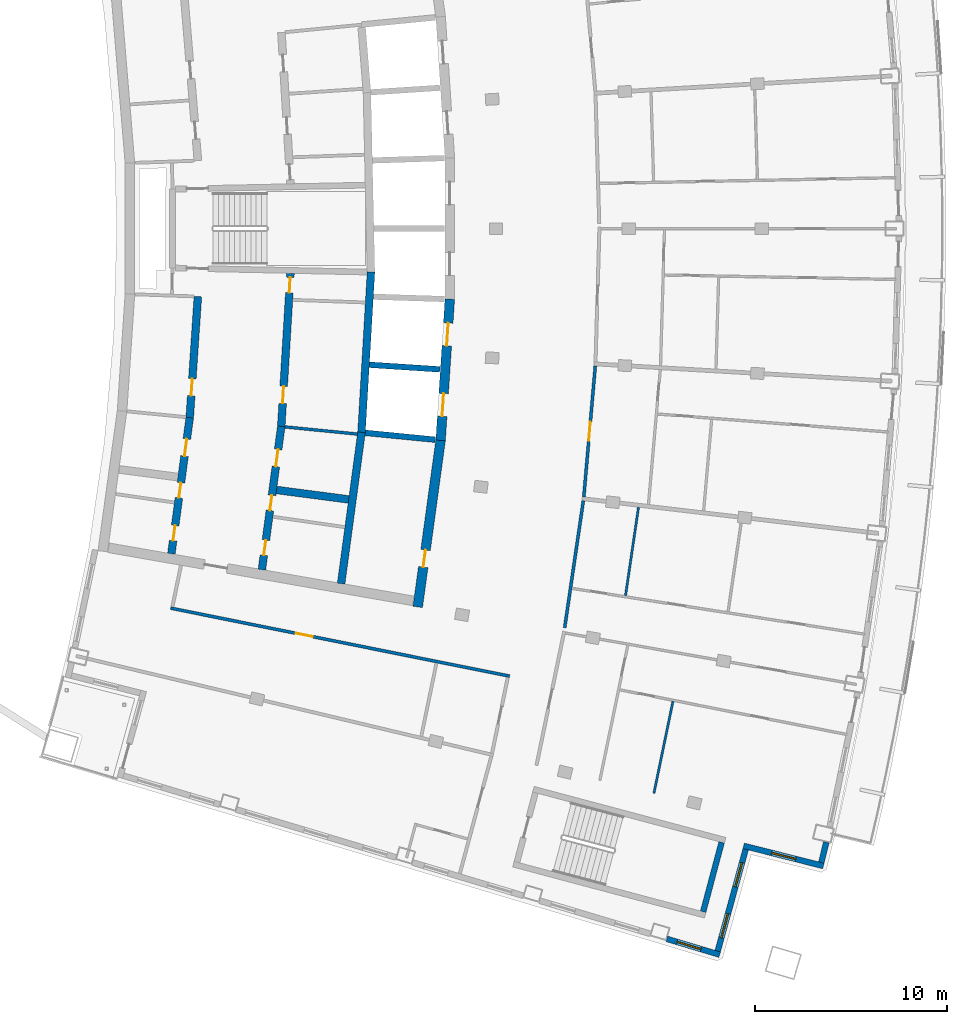
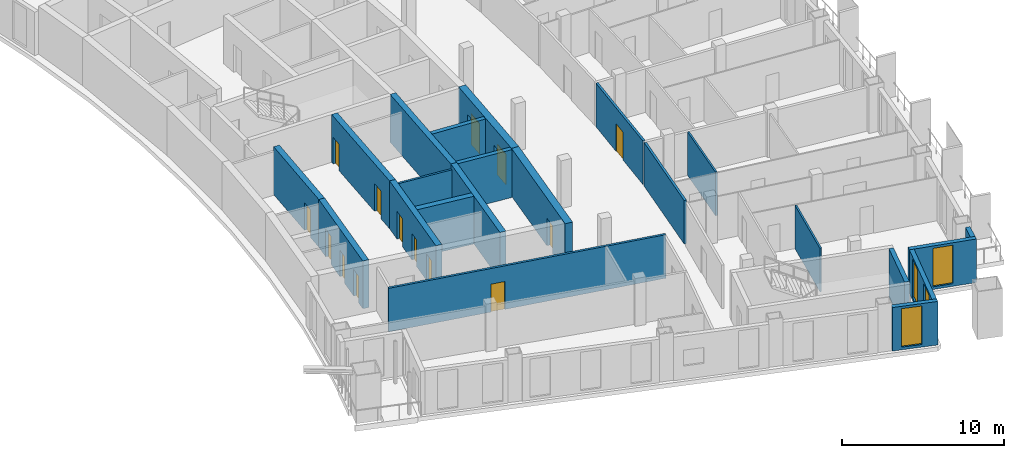
# One storey, part 8 of 17: 22 walls, 14 doors, 4 windows, 18 openings.
"""IFC4 building model written with IfcOpenShell, lengths in metres."""

import ifcopenshell
import ifcopenshell.guid

model = None  # the IFC model being written
_history = None  # IfcOwnerHistory: only IFC2X3 demands one
_inside = {}  # id of a spatial element -> (the spatial element, [elements in it])
_under = {}  # id of a project, library or spatial element -> (it, [spatial elements below it])
_declared = {}  # id of a project -> (the project, [libraries it declares])
_typed = {}  # id of a type object -> (the type object, [elements of that type])
_made_of = {}  # id of a material, layer set ... -> (it, [elements and type objects made of it])


def new_model(schema):
    """Start an empty IFC model of exactly this schema.

    Asked for "IFC4X3", IfcOpenShell would pick the latest addendum, in which some entities
    have other attributes; the version numbers below select the first issue.
    IFC2X3 requires an IfcOwnerHistory on every rooted entity: one is made here for all.
    """
    global model, _history
    if schema == "IFC4X3":
        model = ifcopenshell.file(schema_version=(4, 3, 0, 0))
    else:
        model = ifcopenshell.file(schema=schema)
    _inside.clear()
    _under.clear()
    _declared.clear()
    _typed.clear()
    _made_of.clear()
    _history = None
    if model.schema == "IFC2X3":
        org = make("IfcOrganization", Name="unknown")
        user = make(
            "IfcPersonAndOrganization",
            ThePerson=make("IfcPerson", FamilyName="unknown"),
            TheOrganization=org,
        )
        app = make(
            "IfcApplication",
            ApplicationDeveloper=org,
            Version="unknown",
            ApplicationFullName="unknown",
            ApplicationIdentifier="unknown",
        )
        _history = make(
            "IfcOwnerHistory",
            OwningUser=user,
            OwningApplication=app,
            ChangeAction="ADDED",
            CreationDate=0,
        )
    return model


def make(cls, **values):
    """One entity of the class cls with the attributes given. An attribute that is None is left unset."""
    return model.create_entity(
        cls, **{name: value for name, value in values.items() if value is not None}
    )


def rooted(cls, **values):
    """An entity with a GlobalId (a new one), such as an element, a storey or a relation."""
    return make(cls, GlobalId=ifcopenshell.guid.new(), OwnerHistory=_history, **values)


def si_unit(unit_type, name, prefix=None):
    """IfcSIUnit, for example si_unit("LENGTHUNIT", "METRE", prefix="MILLI")."""
    return make("IfcSIUnit", UnitType=unit_type, Prefix=prefix, Name=name)


def assignment(units):
    """IfcUnitAssignment: the units of a project."""
    return None if units is None else make("IfcUnitAssignment", Units=units)


def point(xyz):
    """IfcCartesianPoint."""
    return None if xyz is None else make("IfcCartesianPoint", Coordinates=xyz)


def direction(xyz):
    """IfcDirection."""
    return None if xyz is None else make("IfcDirection", DirectionRatios=xyz)


def frame(location, z_axis=None, x_axis=None):
    """IfcAxis2Placement3D, a coordinate frame: its origin and axes. An axis left out is left unset."""
    return make(
        "IfcAxis2Placement3D",
        Location=point(location),
        Axis=direction(z_axis),
        RefDirection=direction(x_axis),
    )


def frame_2d(location, x_axis=None):
    """IfcAxis2Placement2D, a coordinate frame in the plane: its origin and x axis."""
    return make(
        "IfcAxis2Placement2D", Location=point(location), RefDirection=direction(x_axis)
    )


def origin():
    """The frame at (0, 0, 0) with its axes left unset."""
    return frame((0.0, 0.0, 0.0))


def place(relative_to, where):
    """IfcLocalPlacement: puts the frame where relative to a parent placement (None: the world)."""
    return make(
        "IfcLocalPlacement", PlacementRelTo=relative_to, RelativePlacement=where
    )


def context(
    kind, dimensions, precision=None, world=None, true_north=None, identifier=None
):
    """IfcGeometricRepresentationContext, for example the 3D "Model" context."""
    return make(
        "IfcGeometricRepresentationContext",
        ContextIdentifier=identifier,
        ContextType=kind,
        CoordinateSpaceDimension=dimensions,
        Precision=precision,
        WorldCoordinateSystem=world,
        TrueNorth=true_north,
    )


def subcontext(parent, identifier, kind, view, scale=None):
    """IfcGeometricRepresentationSubContext, for example "Body" below "Model"."""
    return make(
        "IfcGeometricRepresentationSubContext",
        ContextIdentifier=identifier,
        ContextType=kind,
        ParentContext=parent,
        TargetScale=scale,
        TargetView=view,
    )


def project(units=None, contexts=None):
    """IfcProject with its units and contexts."""
    return rooted(
        "IfcProject",
        Name="project",
        RepresentationContexts=contexts,
        UnitsInContext=assignment(units),
    )


def spatial(cls, under=None, at=None, **own):
    """A site, building, storey or space (cls), placed at a placement, below another one or the project."""
    s = rooted(cls, ObjectPlacement=at, **own)
    if under is not None:
        _under.setdefault(under.id(), (under, []))[1].append(s)
    return s


def profile(cls, at=None, kind="AREA", **sizes):
    """A parametric profile (cls). Its sizes go by their IFC names, for example OverallWidth=200.0."""
    return make(cls, ProfileType=kind, Position=at, **sizes)


def rectangle(**sizes):
    """IfcRectangleProfileDef."""
    return profile("IfcRectangleProfileDef", **sizes)


def extrude(swept, where, along, depth):
    """IfcExtrudedAreaSolid: the profile swept, set in the frame where, extruded along a direction by depth."""
    return make(
        "IfcExtrudedAreaSolid",
        SweptArea=swept,
        Position=where,
        ExtrudedDirection=direction(along),
        Depth=depth,
    )


def shape(context_of_items, identifier, shape_type, items):
    """IfcShapeRepresentation: the items that make up one representation, for example the "Body"."""
    return make(
        "IfcShapeRepresentation",
        ContextOfItems=context_of_items,
        RepresentationIdentifier=identifier,
        RepresentationType=shape_type,
        Items=items,
    )


def material(Name=None, Category=None):
    """IfcMaterial."""
    return make("IfcMaterial", Name=Name, Category=Category)


def layer(
    of_material, thickness, ventilated=None, Name=None, Category=None, Priority=None
):
    """IfcMaterialLayer: one layer of a wall or slab, of a material (None: an air gap)."""
    return make(
        "IfcMaterialLayer",
        Material=of_material,
        LayerThickness=thickness,
        IsVentilated=ventilated,
        Name=Name,
        Category=Category,
        Priority=Priority,
    )


def layer_set(layers, Name=None):
    """IfcMaterialLayerSet."""
    return make("IfcMaterialLayerSet", MaterialLayers=layers, LayerSetName=Name)


def made_of(thing, what):
    """Note that an element or type object is made of a material, layer set ...; save() writes the relation."""
    if what is not None:
        _made_of.setdefault(what.id(), (what, []))[1].append(thing)
    return thing


def type_object(cls, material=None, **own):
    """A type object (cls), such as IfcWallType, which elements share."""
    return made_of(rooted(cls, **own), material)


def element(
    cls,
    number,
    at=None,
    inside=None,
    cuts=None,
    type_object=None,
    material=None,
    context=None,
    identifier="Body",
    shape_type=None,
    held_by="IfcProductDefinitionShape",
    body=None,
    shapes=None,
    **own,
):
    """One element of the class cls, such as IfcWall. Its Tag is "e" and its number.

    at: its placement. inside: the storey or other place that contains it. cuts: it is an
    opening in that element (IfcRelVoidsElement). A single representation is given by context,
    identifier, shape_type and body (its items); several are given by shapes. held_by: the class
    of the entity that holds the representations. save() writes the other relations.
    """
    e = rooted(cls, Tag="e%d" % number, ObjectPlacement=at, **own)
    if body is not None:
        shapes = [shape(context, identifier, shape_type, body)]
    if shapes is not None:
        e.Representation = make(held_by, Representations=shapes)
    if inside is not None:
        _inside.setdefault(inside.id(), (inside, []))[1].append(e)
    if cuts is not None:
        rooted(
            "IfcRelVoidsElement", RelatingBuildingElement=cuts, RelatedOpeningElement=e
        )
    if type_object is not None:
        _typed.setdefault(type_object.id(), (type_object, []))[1].append(e)
    return made_of(e, material)


def fill(opening, filler):
    """IfcRelFillsElement: the door or window that sits in an opening."""
    return rooted(
        "IfcRelFillsElement",
        RelatingOpeningElement=opening,
        RelatedBuildingElement=filler,
    )


def aggregate(whole, parts):
    """IfcRelAggregates: a whole, such as a stair, and the parts it consists of."""
    return rooted("IfcRelAggregates", RelatingObject=whole, RelatedObjects=parts)


def save(model, path):
    """Write the relations noted so far, then the file.

    IfcRelAggregates (storeys below a building ...), IfcRelContainedInSpatialStructure (elements
    in a storey), IfcRelDefinesByType, IfcRelAssociatesMaterial and IfcRelDeclares: one each for
    every whole, place, type object, material and project.
    """
    for whole, parts in _under.values():
        aggregate(whole, parts)
    for where, things in _inside.values():
        rooted(
            "IfcRelContainedInSpatialStructure",
            RelatedElements=things,
            RelatingStructure=where,
        )
    for kind, things in _typed.values():
        rooted("IfcRelDefinesByType", RelatedObjects=things, RelatingType=kind)
    for what, things in _made_of.values():
        rooted("IfcRelAssociatesMaterial", RelatedObjects=things, RelatingMaterial=what)
    for by, libraries in _declared.values():
        rooted("IfcRelDeclares", RelatingContext=by, RelatedDefinitions=libraries)
    model.write(path)


model = new_model("IFC4")

# Units and contexts
model_context = context("Model", 3, precision=1e-05, world=origin(), true_north=direction((0.0, 1.0)))
body_context = subcontext(model_context, "Body", "Model", "MODEL_VIEW")
ifc_project = project(units=[si_unit("LENGTHUNIT", "METRE"), si_unit("AREAUNIT", "SQUARE_METRE"), si_unit("VOLUMEUNIT", "CUBIC_METRE"), si_unit("PLANEANGLEUNIT", "RADIAN"), si_unit("MASSUNIT", "GRAM", prefix="KILO")], contexts=[model_context])

# Site, building, storey
site_placement = place(None, origin())
site = spatial("IfcSite", under=ifc_project, at=site_placement, CompositionType="ELEMENT")
building_placement = place(site_placement, origin())
building = spatial("IfcBuilding", under=site, at=building_placement, Name="Alderwake Tower", CompositionType="ELEMENT")
storey_placement = place(building_placement, frame((0.0, 0.0, 260.0)))
storey = spatial("IfcBuildingStorey", under=building, at=storey_placement, Name="L64", CompositionType="ELEMENT", Elevation=260.0)

# Wall
ifc_material_1 = material(Name="Gypsum shaft wall system, rated")
ifc_layer_1 = layer(ifc_material_1, 0.14990234375)
ifc_layer_set_1 = layer_set([ifc_layer_1], Name="Core room partition 150")
wall_type_1 = type_object("IfcWallType", Name="Core room partition 150", PredefinedType="PARTITIONING", material=ifc_layer_set_1)
wall_1_placement = place(storey_placement, frame((24.789794921875, 50.64501953125, 0.0), z_axis=(0.0, 0.0, 1.0), x_axis=(0.995153039802, -0.098338331148, 0.0)))
element("IfcWall", 1, at=wall_1_placement, inside=storey, type_object=wall_type_1, Name="CW/L64/PR-103_+86", PredefinedType="PARTITIONING", context=body_context, shape_type="SweptSolid", body=[
    extrude(rectangle(XDim=3.7958984375, YDim=0.14990234375, at=frame_2d((1.89794921875, 0.0))), origin(), (0.0, 0.0, 1.0), 3.280029296875),
])

# Wall, opening, door
ifc_material_2 = material(Name="Concrete C70/85", Category="concrete")
ifc_layer_2 = layer(ifc_material_2, 0.5)
ifc_layer_set_2 = layer_set([ifc_layer_2], Name="Core wall outer 500 C70-85")
wall_type_2 = type_object("IfcWallType", Name="Core wall outer 500 C70-85", PredefinedType="SHEAR", material=ifc_layer_set_2)
wall_2_placement = place(storey_placement, frame((32.912109375, 49.960693359375, 0.0), z_axis=(0.0, 0.0, 1.0), x_axis=(-0.1358539401, -0.990728876615, 0.0)))
wall_2 = element("IfcWall", 2, at=wall_2_placement, inside=storey, type_object=wall_type_2, Name="Core wall CW.022", PredefinedType="SHEAR", context=body_context, shape_type="SweptSolid", body=[
    extrude(rectangle(XDim=8.794921875, YDim=0.5, at=frame_2d((4.3974609375, 0.0))), origin(), (0.0, 0.0, 1.0), 3.60009765625),
])
opening_1_placement = place(wall_2_placement, frame((5.79638671875, 0.0, 0.0)))
opening_1 = element("IfcOpeningElement", 3, at=opening_1_placement, cuts=wall_2, Name="Opening C060", PredefinedType="OPENING", context=body_context, shape_type="SweptSolid", body=[
    extrude(rectangle(XDim=0.89990234375, YDim=2.10009765625, at=frame_2d((0.449951171875, 1.050048828125))), frame((0.0, 0.260009765625, 0.0), z_axis=(0.0, -1.0, 0.0), x_axis=(1.0, 0.0, 0.0)), (0.0, 0.0, 1.0), 0.52001953125),
])
ifc_material_3 = material(Name="Painted steel leaf", Category="steel")
door_type_1 = type_object("IfcDoorType", Name="Core room door 900", OperationType="SINGLE_SWING_LEFT", PredefinedType="DOOR", material=ifc_material_3)
door_1_placement = place(opening_1_placement, origin())
door_1 = element("IfcDoor", 4, at=door_1_placement, inside=storey, type_object=door_type_1, Name="Room door", OperationType="SINGLE_SWING_RIGHT", OverallHeight=2.10009765625, OverallWidth=0.89990234375, PredefinedType="DOOR", context=body_context, shape_type="SweptSolid", body=[
    extrude(rectangle(XDim=0.89990234375, YDim=2.10009765625, at=frame_2d((0.449951171875, 1.050048828125))), frame((0.0, 0.02490234375, 0.0), z_axis=(0.0, -1.0, 0.0), x_axis=(1.0, 0.0, 0.0)), (0.0, 0.0, 1.0), 0.050048828125),
])
fill(opening_1, door_1)

# Wall, openings, doors
wall_3_placement = place(storey_placement, frame((32.91015625, 49.942138671875, 0.0), z_axis=(0.0, 0.0, 1.0), x_axis=(0.064980500916, 0.997886533881, 0.0)))
wall_3 = element("IfcWall", 5, at=wall_3_placement, inside=storey, type_object=wall_type_2, Name="Core wall CW.021", PredefinedType="SHEAR", context=body_context, shape_type="SweptSolid", body=[
    extrude(rectangle(XDim=7.39404296875, YDim=0.5, at=frame_2d((3.697021484375, 0.0))), origin(), (0.0, 0.0, 1.0), 3.60009765625),
])
opening_2_placement = place(wall_3_placement, frame((1.253173828125, 0.0, 0.0)))
opening_2 = element("IfcOpeningElement", 6, at=opening_2_placement, cuts=wall_3, Name="Opening LD-HP1", PredefinedType="OPENING", context=body_context, shape_type="SweptSolid", body=[
    extrude(rectangle(XDim=1.199951171875, YDim=2.300048828125, at=frame_2d((0.60009765625, 1.14990234375))), frame((0.0, 0.260009765625, 0.0), z_axis=(0.0, -1.0, 0.0), x_axis=(1.0, 0.0, 0.0)), (0.0, 0.0, 1.0), 0.52001953125),
])
opening_3_placement = place(wall_3_placement, frame((4.941650390625, 0.0, 0.0)))
opening_3 = element("IfcOpeningElement", 7, at=opening_3_placement, cuts=wall_3, Name="Opening LD-HP2", PredefinedType="OPENING", context=body_context, shape_type="SweptSolid", body=[
    extrude(rectangle(XDim=1.199951171875, YDim=2.300048828125, at=frame_2d((0.60009765625, 1.14990234375))), frame((0.0, 0.260009765625, 0.0), z_axis=(0.0, -1.0, 0.0), x_axis=(1.0, 0.0, 0.0)), (0.0, 0.0, 1.0), 0.52001953125),
])
ifc_material_4 = material(Name="Stainless steel sliding leaf", Category="steel")
door_type_2 = type_object("IfcDoorType", Name="Lift landing door 1200", OperationType="SLIDING_TO_LEFT", PredefinedType="DOOR", material=ifc_material_4)
door_2_placement = place(opening_2_placement, origin())
door_2 = element("IfcDoor", 8, at=door_2_placement, inside=storey, type_object=door_type_2, Name="Lift landing door HP1", OperationType="SLIDING_TO_LEFT", OverallHeight=2.300048828125, OverallWidth=1.199951171875, PredefinedType="DOOR", context=body_context, shape_type="SweptSolid", body=[
    extrude(rectangle(XDim=1.199951171875, YDim=2.300048828125, at=frame_2d((0.60009765625, 1.14990234375))), frame((0.0, 0.02490234375, 0.0), z_axis=(0.0, -1.0, 0.0), x_axis=(1.0, 0.0, 0.0)), (0.0, 0.0, 1.0), 0.050048828125),
])
fill(opening_2, door_2)
door_3_placement = place(opening_3_placement, origin())
door_3 = element("IfcDoor", 9, at=door_3_placement, inside=storey, type_object=door_type_2, Name="Lift landing door HP2", OperationType="SLIDING_TO_LEFT", OverallHeight=2.300048828125, OverallWidth=1.199951171875, PredefinedType="DOOR", context=body_context, shape_type="SweptSolid", body=[
    extrude(rectangle(XDim=1.199951171875, YDim=2.300048828125, at=frame_2d((0.60009765625, 1.14990234375))), frame((0.0, 0.02490234375, 0.0), z_axis=(0.0, -1.0, 0.0), x_axis=(1.0, 0.0, 0.0)), (0.0, 0.0, 1.0), 0.050048828125),
])
fill(opening_3, door_3)

# Walls
ifc_material_5 = material(Name="Concrete C70/85", Category="concrete")
ifc_layer_3 = layer(ifc_material_5, 0.300048828125)
ifc_layer_set_3 = layer_set([ifc_layer_3], Name="Core wall shaft 300 C70-85")
wall_type_3 = type_object("IfcWallType", Name="Core wall shaft 300 C70-85", PredefinedType="SHEAR", material=ifc_layer_set_3)
wall_4_placement = place(storey_placement, frame((28.9794921875, 50.336181640625, 0.0), z_axis=(0.0, 0.0, 1.0), x_axis=(0.995245736737, -0.097395705788, 0.0)))
element("IfcWall", 10, at=wall_4_placement, inside=storey, type_object=wall_type_3, Name="Core wall CW.064", PredefinedType="SHEAR", context=body_context, shape_type="SweptSolid", body=[
    extrude(rectangle(XDim=3.669677734375, YDim=0.300048828125, at=frame_2d((1.8349609375, 0.0))), origin(), (0.0, 0.0, 1.0), 3.60009765625),
])
wall_5_placement = place(storey_placement, frame((29.190185546875, 53.8896484375, 0.0), z_axis=(0.0, 0.0, 1.0), x_axis=(0.997885615286, -0.06499460597, 0.0)))
element("IfcWall", 11, at=wall_5_placement, inside=storey, type_object=wall_type_3, Name="Core wall CW.078", PredefinedType="SHEAR", context=body_context, shape_type="SweptSolid", body=[
    extrude(rectangle(XDim=3.688720703125, YDim=0.300048828125, at=frame_2d((1.84423828125, 0.0))), origin(), (0.0, 0.0, 1.0), 3.60009765625),
])

# Wall, openings, doors
ifc_material_6 = material(Name="Concrete C70/85", Category="concrete")
ifc_layer_4 = layer(ifc_material_6, 0.39990234375)
ifc_layer_set_4 = layer_set([ifc_layer_4], Name="Core wall spine 400 C70-85")
wall_type_4 = type_object("IfcWallType", Name="Core wall spine 400 C70-85", PredefinedType="SHEAR", material=ifc_layer_set_4)
wall_6_placement = place(storey_placement, frame((19.814697265625, 51.143798828125, 0.0), z_axis=(0.0, 0.0, 1.0), x_axis=(-0.133823115837, -0.991005233925, 0.0)))
wall_6 = element("IfcWall", 12, at=wall_6_placement, inside=storey, type_object=wall_type_4, Name="Core wall CW.033", PredefinedType="SHEAR", context=body_context, shape_type="SweptSolid", body=[
    extrude(rectangle(XDim=7.1787109375, YDim=0.39990234375, at=frame_2d((3.58935546875, 0.0))), origin(), (0.0, 0.0, 1.0), 3.60009765625),
])
opening_4_placement = place(wall_6_placement, frame((5.69677734375, 0.0, 0.0)))
opening_4 = element("IfcOpeningElement", 13, at=opening_4_placement, cuts=wall_6, Name="Opening C008", PredefinedType="OPENING", context=body_context, shape_type="SweptSolid", body=[
    extrude(rectangle(XDim=0.800048828125, YDim=2.0, at=frame_2d((0.39990234375, 1.0))), frame((0.0, 0.2099609375, 0.0), z_axis=(0.0, -1.0, 0.0), x_axis=(1.0, 0.0, 0.0)), (0.0, 0.0, 1.0), 0.419921875),
])
opening_5_placement = place(wall_6_placement, frame((3.443115234375, 0.0, 0.0)))
opening_5 = element("IfcOpeningElement", 14, at=opening_5_placement, cuts=wall_6, Name="Opening C012", PredefinedType="OPENING", context=body_context, shape_type="SweptSolid", body=[
    extrude(rectangle(XDim=0.800048828125, YDim=2.0, at=frame_2d((0.39990234375, 1.0))), frame((0.0, 0.2099609375, 0.0), z_axis=(0.0, -1.0, 0.0), x_axis=(1.0, 0.0, 0.0)), (0.0, 0.0, 1.0), 0.419921875),
])
opening_6_placement = place(wall_6_placement, frame((1.13916015625, 0.0, 0.0)))
opening_6 = element("IfcOpeningElement", 15, at=opening_6_placement, cuts=wall_6, Name="Opening C039", PredefinedType="OPENING", context=body_context, shape_type="SweptSolid", body=[
    extrude(rectangle(XDim=0.89990234375, YDim=2.10009765625, at=frame_2d((0.449951171875, 1.050048828125))), frame((0.0, 0.2099609375, 0.0), z_axis=(0.0, -1.0, 0.0), x_axis=(1.0, 0.0, 0.0)), (0.0, 0.0, 1.0), 0.419921875),
])
door_4_placement = place(opening_6_placement, origin())
door_4 = element("IfcDoor", 16, at=door_4_placement, inside=storey, type_object=door_type_1, Name="Room door", OperationType="SINGLE_SWING_LEFT", OverallHeight=2.10009765625, OverallWidth=0.89990234375, PredefinedType="DOOR", context=body_context, shape_type="SweptSolid", body=[
    extrude(rectangle(XDim=0.89990234375, YDim=2.10009765625, at=frame_2d((0.449951171875, 1.050048828125))), frame((0.0, 0.02490234375, 0.0), z_axis=(0.0, -1.0, 0.0), x_axis=(1.0, 0.0, 0.0)), (0.0, 0.0, 1.0), 0.050048828125),
])
fill(opening_6, door_4)
ifc_material_7 = material(Name="Painted steel leaf, rated", Category="steel")
door_type_3 = type_object("IfcDoorType", Name="Riser access door 800", OperationType="SINGLE_SWING_LEFT", PredefinedType="DOOR", material=ifc_material_7)
door_5_placement = place(opening_4_placement, origin())
door_5 = element("IfcDoor", 17, at=door_5_placement, inside=storey, type_object=door_type_3, Name="Riser access door", OperationType="SINGLE_SWING_LEFT", OverallHeight=2.0, OverallWidth=0.800048828125, PredefinedType="DOOR", context=body_context, shape_type="SweptSolid", body=[
    extrude(rectangle(XDim=0.800048828125, YDim=2.0, at=frame_2d((0.39990234375, 1.0))), frame((0.0, 0.02490234375, 0.0), z_axis=(0.0, -1.0, 0.0), x_axis=(1.0, 0.0, 0.0)), (0.0, 0.0, 1.0), 0.050048828125),
])
fill(opening_4, door_5)
door_6_placement = place(opening_5_placement, origin())
door_6 = element("IfcDoor", 18, at=door_6_placement, inside=storey, type_object=door_type_3, Name="Riser access door", OperationType="SINGLE_SWING_RIGHT", OverallHeight=2.0, OverallWidth=0.800048828125, PredefinedType="DOOR", context=body_context, shape_type="SweptSolid", body=[
    extrude(rectangle(XDim=0.800048828125, YDim=2.0, at=frame_2d((0.39990234375, 1.0))), frame((0.0, 0.02490234375, 0.0), z_axis=(0.0, -1.0, 0.0), x_axis=(1.0, 0.0, 0.0)), (0.0, 0.0, 1.0), 0.050048828125),
])
fill(opening_5, door_6)

# Wall, opening, door
wall_7_placement = place(storey_placement, frame((20.2373046875, 57.451904296875, 0.0), z_axis=(0.0, 0.0, 1.0), x_axis=(-0.066884681503, -0.997760712486, 0.0)))
wall_7 = element("IfcWall", 19, at=wall_7_placement, inside=storey, type_object=wall_type_4, Name="Core wall CW.032", PredefinedType="SHEAR", context=body_context, shape_type="SweptSolid", body=[
    extrude(rectangle(XDim=6.336669921875, YDim=0.39990234375, at=frame_2d((3.16845703125, 0.0))), origin(), (0.0, 0.0, 1.0), 3.60009765625),
])
opening_7_placement = place(wall_7_placement, frame((4.29736328125, 0.0, 0.0)))
opening_7 = element("IfcOpeningElement", 20, at=opening_7_placement, cuts=wall_7, Name="Opening C040", PredefinedType="OPENING", context=body_context, shape_type="SweptSolid", body=[
    extrude(rectangle(XDim=0.89990234375, YDim=2.10009765625, at=frame_2d((0.449951171875, 1.050048828125))), frame((0.0, 0.2099609375, 0.0), z_axis=(0.0, -1.0, 0.0), x_axis=(1.0, 0.0, 0.0)), (0.0, 0.0, 1.0), 0.419921875),
])
door_7_placement = place(opening_7_placement, origin())
door_7 = element("IfcDoor", 21, at=door_7_placement, inside=storey, type_object=door_type_1, Name="Room door", OperationType="SINGLE_SWING_RIGHT", OverallHeight=2.10009765625, OverallWidth=0.89990234375, PredefinedType="DOOR", context=body_context, shape_type="SweptSolid", body=[
    extrude(rectangle(XDim=0.89990234375, YDim=2.10009765625, at=frame_2d((0.449951171875, 1.050048828125))), frame((0.0, 0.02490234375, 0.0), z_axis=(0.0, -1.0, 0.0), x_axis=(1.0, 0.0, 0.0)), (0.0, 0.0, 1.0), 0.050048828125),
])
fill(opening_7, door_7)

# Wall, openings, doors
wall_8_placement = place(storey_placement, frame((23.58056640625, 43.19384765625, 0.0), z_axis=(0.0, 0.0, 1.0), x_axis=(0.133962545762, 0.990986395635, 0.0)))
wall_8 = element("IfcWall", 22, at=wall_8_placement, inside=storey, type_object=wall_type_4, Name="Core wall CW.047", PredefinedType="SHEAR", context=body_context, shape_type="SweptSolid", body=[
    extrude(rectangle(XDim=7.546875, YDim=0.39990234375, at=frame_2d((3.7734375, 0.0))), origin(), (0.0, 0.0, 1.0), 3.60009765625),
])
opening_8_placement = place(wall_8_placement, frame((0.7578125, 0.0, 0.0)))
opening_8 = element("IfcOpeningElement", 23, at=opening_8_placement, cuts=wall_8, Name="Opening C015", PredefinedType="OPENING", context=body_context, shape_type="SweptSolid", body=[
    extrude(rectangle(XDim=0.800048828125, YDim=2.0, at=frame_2d((0.39990234375, 1.0))), frame((0.0, 0.2099609375, 0.0), z_axis=(0.0, -1.0, 0.0), x_axis=(1.0, 0.0, 0.0)), (0.0, 0.0, 1.0), 0.419921875),
])
opening_9_placement = place(wall_8_placement, frame((3.119384765625, 0.0, 0.0)))
opening_9 = element("IfcOpeningElement", 24, at=opening_9_placement, cuts=wall_8, Name="Opening C019", PredefinedType="OPENING", context=body_context, shape_type="SweptSolid", body=[
    extrude(rectangle(XDim=0.800048828125, YDim=2.0, at=frame_2d((0.39990234375, 1.0))), frame((0.0, 0.2099609375, 0.0), z_axis=(0.0, -1.0, 0.0), x_axis=(1.0, 0.0, 0.0)), (0.0, 0.0, 1.0), 0.419921875),
])
opening_10_placement = place(wall_8_placement, frame((5.43115234375, 0.0, 0.0)))
opening_10 = element("IfcOpeningElement", 25, at=opening_10_placement, cuts=wall_8, Name="Opening C045", PredefinedType="OPENING", context=body_context, shape_type="SweptSolid", body=[
    extrude(rectangle(XDim=0.89990234375, YDim=2.10009765625, at=frame_2d((0.449951171875, 1.050048828125))), frame((0.0, 0.2099609375, 0.0), z_axis=(0.0, -1.0, 0.0), x_axis=(1.0, 0.0, 0.0)), (0.0, 0.0, 1.0), 0.419921875),
])
door_8_placement = place(opening_10_placement, origin())
door_8 = element("IfcDoor", 26, at=door_8_placement, inside=storey, type_object=door_type_1, Name="Room door", OperationType="SINGLE_SWING_LEFT", OverallHeight=2.10009765625, OverallWidth=0.89990234375, PredefinedType="DOOR", context=body_context, shape_type="SweptSolid", body=[
    extrude(rectangle(XDim=0.89990234375, YDim=2.10009765625, at=frame_2d((0.449951171875, 1.050048828125))), frame((0.0, 0.02490234375, 0.0), z_axis=(0.0, -1.0, 0.0), x_axis=(1.0, 0.0, 0.0)), (0.0, 0.0, 1.0), 0.050048828125),
])
fill(opening_10, door_8)
door_9_placement = place(opening_8_placement, origin())
door_9 = element("IfcDoor", 27, at=door_9_placement, inside=storey, type_object=door_type_3, Name="Riser access door", OperationType="SINGLE_SWING_LEFT", OverallHeight=2.0, OverallWidth=0.800048828125, PredefinedType="DOOR", context=body_context, shape_type="SweptSolid", body=[
    extrude(rectangle(XDim=0.800048828125, YDim=2.0, at=frame_2d((0.39990234375, 1.0))), frame((0.0, 0.02490234375, 0.0), z_axis=(0.0, -1.0, 0.0), x_axis=(1.0, 0.0, 0.0)), (0.0, 0.0, 1.0), 0.050048828125),
])
fill(opening_8, door_9)
door_10_placement = place(opening_9_placement, origin())
door_10 = element("IfcDoor", 28, at=door_10_placement, inside=storey, type_object=door_type_3, Name="Riser access door", OperationType="SINGLE_SWING_RIGHT", OverallHeight=2.0, OverallWidth=0.800048828125, PredefinedType="DOOR", context=body_context, shape_type="SweptSolid", body=[
    extrude(rectangle(XDim=0.800048828125, YDim=2.0, at=frame_2d((0.39990234375, 1.0))), frame((0.0, 0.02490234375, 0.0), z_axis=(0.0, -1.0, 0.0), x_axis=(1.0, 0.0, 0.0)), (0.0, 0.0, 1.0), 0.050048828125),
])
fill(opening_9, door_10)

wall_9_placement = place(storey_placement, frame((24.590087890625, 50.65673828125, 0.0), z_axis=(0.0, 0.0, 1.0), x_axis=(0.060318641452, 0.998179173041, 0.0)))
wall_9 = element("IfcWall", 29, at=wall_9_placement, inside=storey, type_object=wall_type_4, Name="Core wall CW.046", PredefinedType="SHEAR", context=body_context, shape_type="SweptSolid", body=[
    extrude(rectangle(XDim=8.022216796875, YDim=0.39990234375, at=frame_2d((4.01123046875, 0.0))), origin(), (0.0, 0.0, 1.0), 3.60009765625),
])
opening_11_placement = place(wall_9_placement, frame((7.006103515625, 0.0, 0.0)))
opening_11 = element("IfcOpeningElement", 30, at=opening_11_placement, cuts=wall_9, Name="Opening C006", PredefinedType="OPENING", context=body_context, shape_type="SweptSolid", body=[
    extrude(rectangle(XDim=0.800048828125, YDim=2.0, at=frame_2d((0.39990234375, 1.0))), frame((0.0, 0.2099609375, 0.0), z_axis=(0.0, -1.0, 0.0), x_axis=(1.0, 0.0, 0.0)), (0.0, 0.0, 1.0), 0.419921875),
])
opening_12_placement = place(wall_9_placement, frame((1.21533203125, 0.0, 0.0)))
opening_12 = element("IfcOpeningElement", 31, at=opening_12_placement, cuts=wall_9, Name="Opening C046", PredefinedType="OPENING", context=body_context, shape_type="SweptSolid", body=[
    extrude(rectangle(XDim=0.89990234375, YDim=2.10009765625, at=frame_2d((0.449951171875, 1.050048828125))), frame((0.0, 0.2099609375, 0.0), z_axis=(0.0, -1.0, 0.0), x_axis=(1.0, 0.0, 0.0)), (0.0, 0.0, 1.0), 0.419921875),
])
door_11_placement = place(opening_12_placement, origin())
door_11 = element("IfcDoor", 32, at=door_11_placement, inside=storey, type_object=door_type_1, Name="Room door", OperationType="SINGLE_SWING_RIGHT", OverallHeight=2.10009765625, OverallWidth=0.89990234375, PredefinedType="DOOR", context=body_context, shape_type="SweptSolid", body=[
    extrude(rectangle(XDim=0.89990234375, YDim=2.10009765625, at=frame_2d((0.449951171875, 1.050048828125))), frame((0.0, 0.02490234375, 0.0), z_axis=(0.0, -1.0, 0.0), x_axis=(1.0, 0.0, 0.0)), (0.0, 0.0, 1.0), 0.050048828125),
])
fill(opening_12, door_11)
door_12_placement = place(opening_11_placement, origin())
door_12 = element("IfcDoor", 33, at=door_12_placement, inside=storey, type_object=door_type_3, Name="Riser access door", OperationType="SINGLE_SWING_RIGHT", OverallHeight=2.0, OverallWidth=0.800048828125, PredefinedType="DOOR", context=body_context, shape_type="SweptSolid", body=[
    extrude(rectangle(XDim=0.800048828125, YDim=2.0, at=frame_2d((0.39990234375, 1.0))), frame((0.0, 0.02490234375, 0.0), z_axis=(0.0, -1.0, 0.0), x_axis=(1.0, 0.0, 0.0)), (0.0, 0.0, 1.0), 0.050048828125),
])
fill(opening_11, door_12)

# Walls
wall_10_placement = place(storey_placement, frame((27.716552734375, 42.46240234375, 0.0), z_axis=(0.0, 0.0, 1.0), x_axis=(0.133575701536, 0.991038612749, 0.0)))
element("IfcWall", 34, at=wall_10_placement, inside=storey, type_object=wall_type_4, Name="Core wall CW.006", PredefinedType="SHEAR", context=body_context, shape_type="SweptSolid", body=[
    extrude(rectangle(XDim=7.97265625, YDim=0.39990234375, at=frame_2d((3.986328125, 0.0))), origin(), (0.0, 0.0, 1.0), 3.60009765625),
])
wall_11_placement = place(storey_placement, frame((28.780029296875, 50.34765625, 0.0), z_axis=(0.0, 0.0, 1.0), x_axis=(0.05912910263, 0.998250343963, 0.0)))
element("IfcWall", 35, at=wall_11_placement, inside=storey, type_object=wall_type_4, Name="Core wall CW.004", PredefinedType="SHEAR", context=body_context, shape_type="SweptSolid", body=[
    extrude(rectangle(XDim=8.40234375, YDim=0.39990234375, at=frame_2d((4.201171875, 0.0))), origin(), (0.0, 0.0, 1.0), 3.60009765625),
])
wall_12_placement = place(storey_placement, frame((24.344482421875, 47.3525390625, 0.0), z_axis=(0.0, 0.0, 1.0), x_axis=(0.991554071493, -0.129693960172, 0.0)))
element("IfcWall", 36, at=wall_12_placement, inside=storey, type_object=wall_type_4, Name="Core wall CW.069", PredefinedType="SHEAR", context=body_context, shape_type="SweptSolid", body=[
    extrude(rectangle(XDim=3.794921875, YDim=0.39990234375, at=frame_2d((1.8974609375, 0.0))), origin(), (0.0, 0.0, 1.0), 3.60009765625),
])
ifc_material_8 = material(Name="Concrete C70/85", Category="concrete")
ifc_layer_5 = layer(ifc_material_8, 0.300048828125)
ifc_layer_set_5 = layer_set([ifc_layer_5], Name="Core wall stair enclosure 300 C70-85")
wall_type_5 = type_object("IfcWallType", Name="Core wall stair enclosure 300 C70-85", PredefinedType="SHEAR", material=ifc_layer_set_5)
wall_13_placement = place(storey_placement, frame((46.6162109375, 25.334716796875, 0.0), z_axis=(0.0, 0.0, 1.0), x_axis=(0.257366821694, 0.966313778796, 0.0)))
element("IfcWall", 37, at=wall_13_placement, inside=storey, type_object=wall_type_5, Name="Core wall CW.085", PredefinedType="SHEAR", context=body_context, shape_type="SweptSolid", body=[
    extrude(rectangle(XDim=3.749755859375, YDim=0.300048828125, at=frame_2d((1.875, 0.0))), origin(), (0.0, 0.0, 1.0), 3.60009765625),
])

# Wall, opening, door
ifc_material_9 = material(Name="Gypsum board on metal studs, rated")
ifc_layer_6 = layer(ifc_material_9, 0.159912109375)
ifc_layer_set_6 = layer_set([ifc_layer_6], Name="Corridor wall 160")
wall_type_6 = type_object("IfcWallType", Name="Corridor wall 160", PredefinedType="PARTITIONING", material=ifc_layer_set_6)
wall_14_placement = place(storey_placement, frame((36.513427734375, 37.63427734375, 0.0), z_axis=(0.0, 0.0, 1.0), x_axis=(-0.980470254867, 0.1966674333, 0.0)))
wall_14 = element("IfcWall", 38, at=wall_14_placement, inside=storey, type_object=wall_type_6, Name="WL/L64/W10", PredefinedType="PARTITIONING", context=body_context, shape_type="SweptSolid", body=[
    extrude(rectangle(XDim=18.053466796875, YDim=0.159912109375, at=frame_2d((9.02685546875, 0.0))), origin(), (0.0, 0.0, 1.0), 3.280029296875),
])
opening_13_placement = place(wall_14_placement, frame((10.476806640625, 0.0, 0.0)))
opening_13 = element("IfcOpeningElement", 39, at=opening_13_placement, cuts=wall_14, Name="Opening R18-SBS1", PredefinedType="OPENING", context=body_context, shape_type="SweptSolid", body=[
    extrude(rectangle(XDim=0.89990234375, YDim=2.10009765625, at=frame_2d((0.449951171875, 1.050048828125))), frame((0.0, 0.08984375, 0.0), z_axis=(0.0, -1.0, 0.0), x_axis=(1.0, 0.0, 0.0)), (0.0, 0.0, 1.0), 0.179931640625),
])
ifc_material_10 = material(Name="Painted timber leaf", Category="wood")
door_type_4 = type_object("IfcDoorType", Name="Room door 900", OperationType="SINGLE_SWING_LEFT", PredefinedType="DOOR", material=ifc_material_10)
door_13_placement = place(opening_13_placement, origin())
door_13 = element("IfcDoor", 40, at=door_13_placement, inside=storey, type_object=door_type_4, Name="DR/L64/SBS1", OperationType="SINGLE_SWING_LEFT", OverallHeight=2.10009765625, OverallWidth=0.89990234375, PredefinedType="DOOR", context=body_context, shape_type="SweptSolid", body=[
    extrude(rectangle(XDim=0.89990234375, YDim=2.10009765625, at=frame_2d((0.449951171875, 1.050048828125))), frame((0.0, 0.02490234375, 0.0), z_axis=(0.0, -1.0, 0.0), x_axis=(1.0, 0.0, 0.0)), (0.0, 0.0, 1.0), 0.050048828125),
])
fill(opening_13, door_13)

# Wall
wall_15_placement = place(storey_placement, frame((39.38671875, 40.160888671875, 0.0), z_axis=(0.0, 0.0, 1.0), x_axis=(0.145513909196, 0.989356205939, 0.0)))
element("IfcWall", 41, at=wall_15_placement, inside=storey, type_object=wall_type_6, Name="WL/L64/W20", PredefinedType="PARTITIONING", context=body_context, shape_type="SweptSolid", body=[
    extrude(rectangle(XDim=6.704345703125, YDim=0.159912109375, at=frame_2d((3.35205078125, 0.0))), origin(), (0.0, 0.0, 1.0), 3.280029296875),
])

# Wall, opening, door
wall_16_placement = place(storey_placement, frame((40.986328125, 53.834228515625, 0.0), z_axis=(0.0, 0.0, 1.0), x_axis=(-0.087448731147, -0.996169021512, 0.0)))
wall_16 = element("IfcWall", 42, at=wall_16_placement, inside=storey, type_object=wall_type_6, Name="WL/L64/W22", PredefinedType="PARTITIONING", context=body_context, shape_type="SweptSolid", body=[
    extrude(rectangle(XDim=6.867919921875, YDim=0.159912109375, at=frame_2d((3.43408203125, 0.0))), origin(), (0.0, 0.0, 1.0), 3.280029296875),
])
opening_14_placement = place(wall_16_placement, frame((2.93408203125, 0.0, 0.0)))
opening_14 = element("IfcOpeningElement", 43, at=opening_14_placement, cuts=wall_16, Name="Opening R18-U04.1", PredefinedType="OPENING", context=body_context, shape_type="SweptSolid", body=[
    extrude(rectangle(XDim=1.0, YDim=2.10009765625, at=frame_2d((0.5, 1.050048828125))), frame((0.0, 0.08984375, 0.0), z_axis=(0.0, -1.0, 0.0), x_axis=(1.0, 0.0, 0.0)), (0.0, 0.0, 1.0), 0.179931640625),
])
ifc_material_11 = material(Name="Solid timber leaf in steel frame", Category="steel")
door_type_5 = type_object("IfcDoorType", Name="Flat entrance door 1000 fire-rated", OperationType="SINGLE_SWING_LEFT", PredefinedType="DOOR", material=ifc_material_11)
door_14_placement = place(opening_14_placement, origin())
door_14 = element("IfcDoor", 44, at=door_14_placement, inside=storey, type_object=door_type_5, Name="DR/L64/U04.1", OperationType="SINGLE_SWING_LEFT", OverallHeight=2.10009765625, OverallWidth=1.0, PredefinedType="DOOR", context=body_context, shape_type="SweptSolid", body=[
    extrude(rectangle(XDim=1.0, YDim=2.10009765625, at=frame_2d((0.5, 1.050048828125))), frame((0.0, 0.02490234375, 0.0), z_axis=(0.0, -1.0, 0.0), x_axis=(1.0, 0.0, 0.0)), (0.0, 0.0, 1.0), 0.050048828125),
])
fill(opening_14, door_14)

# Wall
ifc_material_12 = material(Name="Precast concrete C50/60 spandrel panel", Category="concrete")
ifc_layer_7 = layer(ifc_material_12, 0.300048828125)
ifc_layer_set_7 = layer_set([ifc_layer_7], Name="External wall EW1 Precast concrete C50/60 spandrel")
wall_type_7 = type_object("IfcWallType", Name="External wall EW1 Precast concrete C50/60 spandrel", PredefinedType="SOLIDWALL", material=ifc_layer_set_7)
wall_17_placement = place(storey_placement, frame((52.78515625, 27.90478515625, 0.0), z_axis=(0.0, 0.0, 1.0), x_axis=(0.238265366809, 0.971200090084, 0.0)))
element("IfcWall", 45, at=wall_17_placement, inside=storey, type_object=wall_type_7, Name="External wall 11", PredefinedType="SOLIDWALL", context=body_context, shape_type="SweptSolid", body=[
    extrude(rectangle(XDim=1.09033203125, YDim=0.300048828125, at=frame_2d((0.545166015625, 0.0))), origin(), (0.0, 0.0, 1.0), 3.280029296875),
])

# Wall, opening, window
ifc_material_13 = material(Name="Bronze metal cladding on lightweight framing")
ifc_layer_8 = layer(ifc_material_13, 0.300048828125)
ifc_layer_set_8 = layer_set([ifc_layer_8], Name="External wall EW2 bronze metal cladding")
wall_type_8 = type_object("IfcWallType", Name="External wall EW2 bronze metal cladding", PredefinedType="SOLIDWALL", material=ifc_layer_set_8)
wall_18_placement = place(storey_placement, frame((44.722412109375, 23.920166015625, 0.0), z_axis=(0.0, 0.0, 1.0), x_axis=(0.957774929891, -0.287519014453, 0.0)))
wall_18 = element("IfcWall", 46, at=wall_18_placement, inside=storey, type_object=wall_type_8, Name="External wall 8", PredefinedType="SOLIDWALL", context=body_context, shape_type="SweptSolid", body=[
    extrude(rectangle(XDim=2.87939453125, YDim=0.300048828125, at=frame_2d((1.439697265625, 0.0))), origin(), (0.0, 0.0, 1.0), 3.280029296875),
])
opening_15_placement = place(wall_18_placement, frame((0.56396484375, 0.0, 0.199951171875)))
opening_15 = element("IfcOpeningElement", 47, at=opening_15_placement, cuts=wall_18, Name="Opening W1", PredefinedType="OPENING", context=body_context, shape_type="SweptSolid", body=[
    extrude(rectangle(XDim=1.300048828125, YDim=2.89990234375, at=frame_2d((0.64990234375, 1.449951171875))), frame((0.0, 0.159912109375, 0.0), z_axis=(0.0, -1.0, 0.0), x_axis=(1.0, 0.0, 0.0)), (0.0, 0.0, 1.0), 0.320068359375),
])
ifc_material_14 = material(Name="Bronze tinted glass in aluminium frame", Category="aluminium")
window_type = type_object("IfcWindowType", Name="Window W1 tall fixed and vent", PartitioningType="DOUBLE_PANEL_VERTICAL", PredefinedType="WINDOW", material=ifc_material_14)
window_1_placement = place(opening_15_placement, origin())
window_1 = element("IfcWindow", 48, at=window_1_placement, inside=storey, type_object=window_type, Name="Window W1 tall fixed and vent", OverallHeight=2.89990234375, OverallWidth=1.300048828125, PartitioningType="DOUBLE_PANEL_VERTICAL", PredefinedType="WINDOW", context=body_context, shape_type="SweptSolid", body=[
    extrude(rectangle(XDim=1.300048828125, YDim=2.89990234375, at=frame_2d((0.64990234375, 1.449951171875))), frame((0.0, 0.030029296875, 0.0), z_axis=(0.0, -1.0, 0.0), x_axis=(1.0, 0.0, 0.0)), (0.0, 0.0, 1.0), 0.06005859375),
])
fill(opening_15, window_1)

# Wall, openings, windows
wall_19_placement = place(storey_placement, frame((47.37646484375, 23.27978515625, 0.0), z_axis=(0.0, 0.0, 1.0), x_axis=(0.265054561868, 0.964233415327, 0.0)))
wall_19 = element("IfcWall", 49, at=wall_19_placement, inside=storey, type_object=wall_type_8, Name="External wall 9", PredefinedType="SOLIDWALL", context=body_context, shape_type="SweptSolid", body=[
    extrude(rectangle(XDim=5.51171875, YDim=0.300048828125, at=frame_2d((2.755859375, 0.0))), origin(), (0.0, 0.0, 1.0), 3.280029296875),
])
opening_16_placement = place(wall_19_placement, frame((0.727783203125, 0.0, 0.199951171875)))
opening_16 = element("IfcOpeningElement", 50, at=opening_16_placement, cuts=wall_19, Name="Opening W1", PredefinedType="OPENING", context=body_context, shape_type="SweptSolid", body=[
    extrude(rectangle(XDim=1.300048828125, YDim=2.89990234375, at=frame_2d((0.64990234375, 1.449951171875))), frame((0.0, 0.159912109375, 0.0), z_axis=(0.0, -1.0, 0.0), x_axis=(1.0, 0.0, 0.0)), (0.0, 0.0, 1.0), 0.320068359375),
])
opening_17_placement = place(wall_19_placement, frame((3.48388671875, 0.0, 0.199951171875)))
opening_17 = element("IfcOpeningElement", 51, at=opening_17_placement, cuts=wall_19, Name="Opening W1", PredefinedType="OPENING", context=body_context, shape_type="SweptSolid", body=[
    extrude(rectangle(XDim=1.300048828125, YDim=2.89990234375, at=frame_2d((0.64990234375, 1.449951171875))), frame((0.0, 0.159912109375, 0.0), z_axis=(0.0, -1.0, 0.0), x_axis=(1.0, 0.0, 0.0)), (0.0, 0.0, 1.0), 0.320068359375),
])
window_2_placement = place(opening_16_placement, origin())
window_2 = element("IfcWindow", 52, at=window_2_placement, inside=storey, type_object=window_type, Name="Window W1 tall fixed and vent", OverallHeight=2.89990234375, OverallWidth=1.300048828125, PartitioningType="DOUBLE_PANEL_VERTICAL", PredefinedType="WINDOW", context=body_context, shape_type="SweptSolid", body=[
    extrude(rectangle(XDim=1.300048828125, YDim=2.89990234375, at=frame_2d((0.64990234375, 1.449951171875))), frame((0.0, 0.030029296875, 0.0), z_axis=(0.0, -1.0, 0.0), x_axis=(1.0, 0.0, 0.0)), (0.0, 0.0, 1.0), 0.06005859375),
])
fill(opening_16, window_2)
window_3_placement = place(opening_17_placement, origin())
window_3 = element("IfcWindow", 53, at=window_3_placement, inside=storey, type_object=window_type, Name="Window W1 tall fixed and vent", OverallHeight=2.89990234375, OverallWidth=1.300048828125, PartitioningType="DOUBLE_PANEL_VERTICAL", PredefinedType="WINDOW", context=body_context, shape_type="SweptSolid", body=[
    extrude(rectangle(XDim=1.300048828125, YDim=2.89990234375, at=frame_2d((0.64990234375, 1.449951171875))), frame((0.0, 0.030029296875, 0.0), z_axis=(0.0, -1.0, 0.0), x_axis=(1.0, 0.0, 0.0)), (0.0, 0.0, 1.0), 0.06005859375),
])
fill(opening_17, window_3)

# Wall, opening, window
wall_20_placement = place(storey_placement, frame((48.731689453125, 28.77587890625, 0.0), z_axis=(0.0, 0.0, 1.0), x_axis=(0.969429385377, -0.245370468408, 0.0)))
wall_20 = element("IfcWall", 54, at=wall_20_placement, inside=storey, type_object=wall_type_8, Name="External wall 10", PredefinedType="SOLIDWALL", context=body_context, shape_type="SweptSolid", body=[
    extrude(rectangle(XDim=4.29443359375, YDim=0.300048828125, at=frame_2d((2.147216796875, 0.0))), origin(), (0.0, 0.0, 1.0), 3.280029296875),
])
opening_18_placement = place(wall_20_placement, frame((1.4970703125, 0.0, 0.199951171875)))
opening_18 = element("IfcOpeningElement", 55, at=opening_18_placement, cuts=wall_20, Name="Opening W1", PredefinedType="OPENING", context=body_context, shape_type="SweptSolid", body=[
    extrude(rectangle(XDim=1.300048828125, YDim=2.89990234375, at=frame_2d((0.64990234375, 1.449951171875))), frame((0.0, 0.159912109375, 0.0), z_axis=(0.0, -1.0, 0.0), x_axis=(1.0, 0.0, 0.0)), (0.0, 0.0, 1.0), 0.320068359375),
])
window_4_placement = place(opening_18_placement, origin())
window_4 = element("IfcWindow", 56, at=window_4_placement, inside=storey, type_object=window_type, Name="Window W1 tall fixed and vent", OverallHeight=2.89990234375, OverallWidth=1.300048828125, PartitioningType="DOUBLE_PANEL_VERTICAL", PredefinedType="WINDOW", context=body_context, shape_type="SweptSolid", body=[
    extrude(rectangle(XDim=1.300048828125, YDim=2.89990234375, at=frame_2d((0.64990234375, 1.449951171875))), frame((0.0, 0.030029296875, 0.0), z_axis=(0.0, -1.0, 0.0), x_axis=(1.0, 0.0, 0.0)), (0.0, 0.0, 1.0), 0.06005859375),
])
fill(opening_18, window_4)

# Walls
ifc_material_15 = material(Name="Moisture resistant gypsum board on metal studs")
ifc_layer_9 = layer(ifc_material_15, 0.1201171875)
ifc_layer_set_9 = layer_set([ifc_layer_9], Name="Wet room partition 120")
wall_type_9 = type_object("IfcWallType", Name="Wet room partition 120", PredefinedType="PARTITIONING", material=ifc_layer_set_9)
wall_21_placement = place(storey_placement, frame((42.562255859375, 41.83056640625, 0.0), z_axis=(0.0, 0.0, 1.0), x_axis=(0.145515042, 0.989356039326, 0.0)))
element("IfcWall", 57, at=wall_21_placement, inside=storey, type_object=wall_type_9, Name="WL/L64/W34", PredefinedType="PARTITIONING", context=body_context, shape_type="SweptSolid", body=[
    extrude(rectangle(XDim=4.67431640625, YDim=0.1201171875, at=frame_2d((2.337158203125, 0.0))), origin(), (0.0, 0.0, 1.0), 3.280029296875),
])
wall_22_placement = place(storey_placement, frame((44.0458984375, 31.51806640625, 0.0), z_axis=(0.0, 0.0, 1.0), x_axis=(0.202681240661, 0.979244767504, 0.0)))
element("IfcWall", 58, at=wall_22_placement, inside=storey, type_object=wall_type_9, Name="WL/L64/W39", PredefinedType="PARTITIONING", context=body_context, shape_type="SweptSolid", body=[
    extrude(rectangle(XDim=4.90966796875, YDim=0.1201171875, at=frame_2d((2.454833984375, 0.0))), origin(), (0.0, 0.0, 1.0), 3.280029296875),
])

save(model, "model.ifc")
